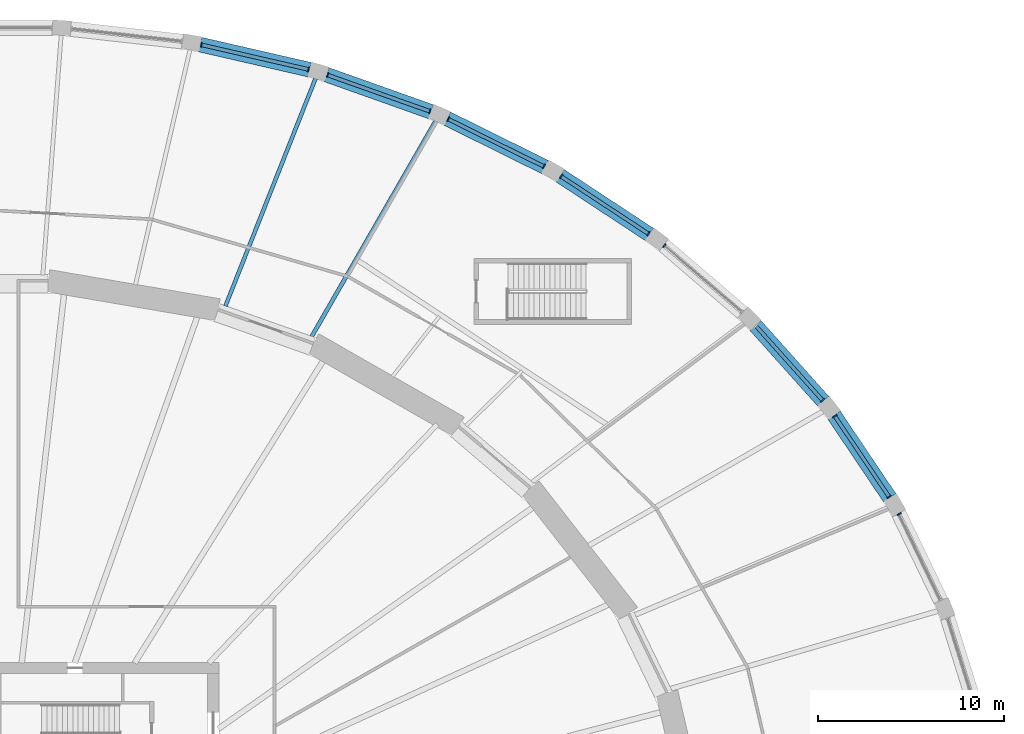
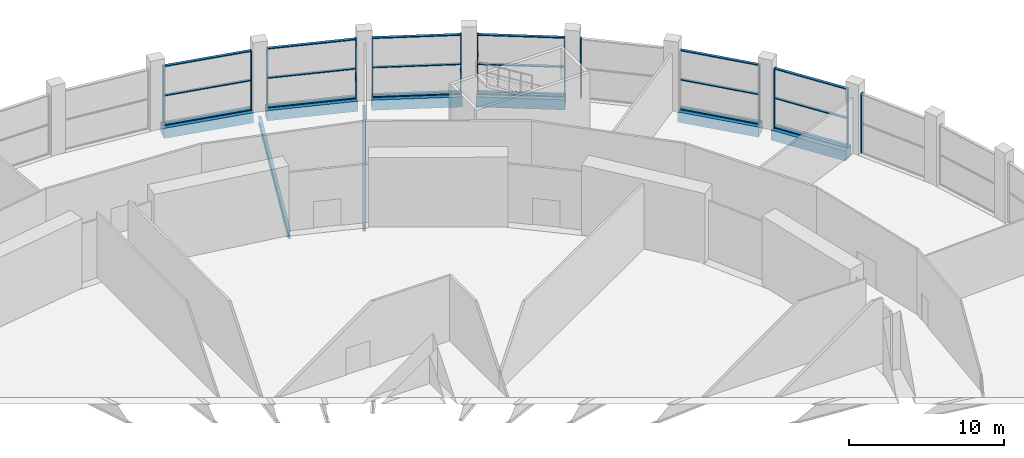
# One storey, part 16 of 29: 31 members, 8 beams, 8 elements without a shape of their own.
"""IFC4 building model written with IfcOpenShell, lengths in metres."""

from ifc_helpers import new_model, si_unit, direction, frame, origin, origin_2d, place, context, subcontext, project, spatial, rectangle, i_section, extrude, material, material_profile, profile_set, type_object, element, aggregate, save


model = new_model("IFC4")

# Units and contexts
model_context = context("Model", 3, precision=1e-05, world=origin(), true_north=direction((0.0, 1.0)))
body_context = subcontext(model_context, "Body", "Model", "MODEL_VIEW")
ifc_project = project(units=[si_unit("LENGTHUNIT", "METRE"), si_unit("AREAUNIT", "SQUARE_METRE"), si_unit("VOLUMEUNIT", "CUBIC_METRE"), si_unit("PLANEANGLEUNIT", "RADIAN"), si_unit("MASSUNIT", "GRAM", prefix="KILO")], contexts=[model_context])

# Site, building, storey
site_placement = place(None, origin())
site = spatial("IfcSite", under=ifc_project, at=site_placement, CompositionType="ELEMENT")
building_placement = place(site_placement, origin())
building = spatial("IfcBuilding", under=site, at=building_placement, Name="Halqa Exchange Tower", CompositionType="ELEMENT")
storey_placement = place(building_placement, frame((0.0, 0.0, 12.5)))
storey = spatial("IfcBuildingStorey", under=building, at=storey_placement, Name="L02", CompositionType="ELEMENT", Elevation=12.5)

# Curtain wall, member
ifc_material_1 = material(Name="Anodised aluminium and clear glass", Category="aluminium")
curtain_wall_type = type_object("IfcCurtainWallType", Name="Exchange hall glazing", PredefinedType="NOTDEFINED", material=ifc_material_1)
curtain_wall_1_placement = place(storey_placement, origin())
curtain_wall_1 = element("IfcCurtainWall", 1, at=curtain_wall_1_placement, inside=storey, type_object=curtain_wall_type, Name="Exchange hall glazing run P3", PredefinedType="NOTDEFINED")
ifc_material_2 = material(Name="Anodised aluminium", Category="aluminium")
ifc_material_profile_1 = material_profile(ifc_material_2, rectangle(XDim=0.25, YDim=0.070068359375, at=origin_2d()), Name="AL 70x250")
ifc_profile_set_1 = profile_set([ifc_material_profile_1], Name="Anodised aluminium")
member_type_1 = type_object("IfcMemberType", Name="Exchange hall glazing mullion 70 x 250", PredefinedType="MULLION", material=ifc_profile_set_1)
member_1_placement = place(storey_placement, frame((48.663818359375, 19.996337890625, 0.0), z_axis=(0.0, 0.0, 1.0), x_axis=(-0.90043534892, -0.434989864727, 0.0)))
member_1 = element("IfcMember", 2, at=member_1_placement, type_object=member_type_1, Name="P3 mullion 2", PredefinedType="MULLION", context=body_context, shape_type="SweptSolid", body=[
    extrude(rectangle(XDim=0.25, YDim=0.070068359375, at=origin_2d()), origin(), (0.0, 0.0, 1.0), 4.699951171875),
])
aggregate(curtain_wall_1, [member_1])

# Curtain wall, members
curtain_wall_2_placement = place(storey_placement, origin())
curtain_wall_2 = element("IfcCurtainWall", 3, at=curtain_wall_2_placement, inside=storey, type_object=curtain_wall_type, Name="Exchange hall glazing run P4", PredefinedType="NOTDEFINED")
member_2_placement = place(storey_placement, frame((48.13232421875, 20.921630859375, 0.0), z_axis=(0.0, 0.0, 1.0), x_axis=(-0.8294895023, -0.55852230535, 0.0)))
member_2 = element("IfcMember", 4, at=member_2_placement, type_object=member_type_1, Name="P4 mullion 1", PredefinedType="MULLION", context=body_context, shape_type="SweptSolid", body=[
    extrude(rectangle(XDim=0.25, YDim=0.070068359375, at=origin_2d()), origin(), (0.0, 0.0, 1.0), 4.699951171875),
])
member_3_placement = place(storey_placement, frame((45.1982421875, 25.279052734375, 0.0), z_axis=(0.0, 0.0, 1.0), x_axis=(-0.8294895023, -0.55852230535, 0.0)))
member_3 = element("IfcMember", 5, at=member_3_placement, type_object=member_type_1, Name="P4 mullion 2", PredefinedType="MULLION", context=body_context, shape_type="SweptSolid", body=[
    extrude(rectangle(XDim=0.25, YDim=0.070068359375, at=origin_2d()), origin(), (0.0, 0.0, 1.0), 4.699951171875),
])

# Curtain wall, member
curtain_wall_3_placement = place(storey_placement, origin())
curtain_wall_3 = element("IfcCurtainWall", 6, at=curtain_wall_3_placement, inside=storey, type_object=curtain_wall_type, Name="Exchange hall glazing run P5", PredefinedType="NOTDEFINED")
member_4_placement = place(storey_placement, frame((44.542724609375, 26.12158203125, 0.0), z_axis=(0.0, 0.0, 1.0), x_axis=(-0.74514769466, -0.666899477539, 0.0)))
member_4 = element("IfcMember", 7, at=member_4_placement, type_object=member_type_1, Name="P5 mullion 1", PredefinedType="MULLION", context=body_context, shape_type="SweptSolid", body=[
    extrude(rectangle(XDim=0.25, YDim=0.070068359375, at=origin_2d()), origin(), (0.0, 0.0, 1.0), 4.699951171875),
])

curtain_wall_4_placement = place(storey_placement, origin())
curtain_wall_4 = element("IfcCurtainWall", 8, at=curtain_wall_4_placement, inside=storey, type_object=curtain_wall_type, Name="Exchange hall glazing run P6", PredefinedType="NOTDEFINED")
member_5_placement = place(storey_placement, frame((36.010986328125, 34.4619140625, 0.0), z_axis=(0.0, 0.0, 1.0), x_axis=(-0.650910929175, -0.759154109704, 0.0)))
member_5 = element("IfcMember", 9, at=member_5_placement, type_object=member_type_1, Name="P6 mullion 2", PredefinedType="MULLION", context=body_context, shape_type="SweptSolid", body=[
    extrude(rectangle(XDim=0.25, YDim=0.070068359375, at=origin_2d()), origin(), (0.0, 0.0, 1.0), 4.699951171875),
])
aggregate(curtain_wall_4, [member_5])

# Curtain wall, members
curtain_wall_5_placement = place(storey_placement, origin())
curtain_wall_5 = element("IfcCurtainWall", 10, at=curtain_wall_5_placement, inside=storey, type_object=curtain_wall_type, Name="Exchange hall glazing run P7", PredefinedType="NOTDEFINED")
member_6_placement = place(storey_placement, frame((35.15771484375, 35.104248046875, 0.0), z_axis=(0.0, 0.0, 1.0), x_axis=(-0.549620040919, -0.835414753652, 0.0)))
member_6 = element("IfcMember", 11, at=member_6_placement, type_object=member_type_1, Name="P7 mullion 1", PredefinedType="MULLION", context=body_context, shape_type="SweptSolid", body=[
    extrude(rectangle(XDim=0.25, YDim=0.070068359375, at=origin_2d()), origin(), (0.0, 0.0, 1.0), 4.699951171875),
])
member_7_placement = place(storey_placement, frame((30.44775390625, 38.202880859375, 0.0), z_axis=(0.0, 0.0, 1.0), x_axis=(-0.549620040919, -0.835414753652, 0.0)))
member_7 = element("IfcMember", 12, at=member_7_placement, type_object=member_type_1, Name="P7 mullion 2", PredefinedType="MULLION", context=body_context, shape_type="SweptSolid", body=[
    extrude(rectangle(XDim=0.25, YDim=0.070068359375, at=origin_2d()), origin(), (0.0, 0.0, 1.0), 4.699951171875),
])

curtain_wall_6_placement = place(storey_placement, origin())
curtain_wall_6 = element("IfcCurtainWall", 13, at=curtain_wall_6_placement, inside=storey, type_object=curtain_wall_type, Name="Exchange hall glazing run P8", PredefinedType="NOTDEFINED")
member_8_placement = place(storey_placement, frame((29.521240234375, 38.734375, 0.0), z_axis=(0.0, 0.0, 1.0), x_axis=(-0.443653417058, -0.896198440934, 0.0)))
member_8 = element("IfcMember", 14, at=member_8_placement, type_object=member_type_1, Name="P8 mullion 1", PredefinedType="MULLION", context=body_context, shape_type="SweptSolid", body=[
    extrude(rectangle(XDim=0.25, YDim=0.070068359375, at=origin_2d()), origin(), (0.0, 0.0, 1.0), 4.699951171875),
])
member_9_placement = place(storey_placement, frame((24.363037109375, 41.287841796875, 0.0), z_axis=(0.0, 0.0, 1.0), x_axis=(-0.443653417058, -0.896198440934, 0.0)))
member_9 = element("IfcMember", 15, at=member_9_placement, type_object=member_type_1, Name="P8 mullion 2", PredefinedType="MULLION", context=body_context, shape_type="SweptSolid", body=[
    extrude(rectangle(XDim=0.25, YDim=0.070068359375, at=origin_2d()), origin(), (0.0, 0.0, 1.0), 4.699951171875),
])

curtain_wall_7_placement = place(storey_placement, origin())
curtain_wall_7 = element("IfcCurtainWall", 16, at=curtain_wall_7_placement, inside=storey, type_object=curtain_wall_type, Name="Exchange hall glazing run P9", PredefinedType="NOTDEFINED")
member_10_placement = place(storey_placement, frame((23.37939453125, 41.7041015625, 0.0), z_axis=(0.0, 0.0, 1.0), x_axis=(-0.334688348326, -0.942328875444, 0.0)))
member_10 = element("IfcMember", 17, at=member_10_placement, type_object=member_type_1, Name="P9 mullion 1", PredefinedType="MULLION", context=body_context, shape_type="SweptSolid", body=[
    extrude(rectangle(XDim=0.25, YDim=0.070068359375, at=origin_2d()), origin(), (0.0, 0.0, 1.0), 4.699951171875),
])
member_11_placement = place(storey_placement, frame((17.86181640625, 43.663818359375, 0.0), z_axis=(0.0, 0.0, 1.0), x_axis=(-0.334688348326, -0.942328875444, 0.0)))
member_11 = element("IfcMember", 18, at=member_11_placement, type_object=member_type_1, Name="P9 mullion 2", PredefinedType="MULLION", context=body_context, shape_type="SweptSolid", body=[
    extrude(rectangle(XDim=0.25, YDim=0.070068359375, at=origin_2d()), origin(), (0.0, 0.0, 1.0), 4.699951171875),
])

curtain_wall_8_placement = place(storey_placement, origin())
curtain_wall_8 = element("IfcCurtainWall", 19, at=curtain_wall_8_placement, inside=storey, type_object=curtain_wall_type, Name="Exchange hall glazing run P10", PredefinedType="NOTDEFINED")
member_12_placement = place(storey_placement, frame((16.836181640625, 43.962646484375, 0.0), z_axis=(0.0, 0.0, 1.0), x_axis=(-0.223896655269, -0.974612891234, 0.0)))
member_12 = element("IfcMember", 20, at=member_12_placement, type_object=member_type_1, Name="P10 mullion 1", PredefinedType="MULLION", context=body_context, shape_type="SweptSolid", body=[
    extrude(rectangle(XDim=0.25, YDim=0.070068359375, at=origin_2d()), origin(), (0.0, 0.0, 1.0), 4.699951171875),
])
member_13_placement = place(storey_placement, frame((11.056396484375, 45.29052734375, 0.0), z_axis=(0.0, 0.0, 1.0), x_axis=(-0.223896655269, -0.974612891234, 0.0)))
member_13 = element("IfcMember", 21, at=member_13_placement, type_object=member_type_1, Name="P10 mullion 2", PredefinedType="MULLION", context=body_context, shape_type="SweptSolid", body=[
    extrude(rectangle(XDim=0.25, YDim=0.070068359375, at=origin_2d()), origin(), (0.0, 0.0, 1.0), 4.699951171875),
])

# Member
ifc_material_profile_2 = material_profile(ifc_material_2, rectangle(XDim=0.199951171875, YDim=0.070068359375, at=origin_2d()), Name="AL 70x200")
ifc_profile_set_2 = profile_set([ifc_material_profile_2], Name="Anodised aluminium")
member_type_2 = type_object("IfcMemberType", Name="Exchange hall glazing transom 70 x 200", PredefinedType="USERDEFINED", material=ifc_profile_set_2)
member_14_placement = place(storey_placement, frame((48.11279296875, 20.95068359375, 0.034912109375), z_axis=(-0.558520359636, 0.82949081241, 0.0), x_axis=(-0.82949081241, -0.558520359636, 0.0)))
member_14 = element("IfcMember", 22, at=member_14_placement, type_object=member_type_2, Name="P4 transom 1.1", ObjectType="TRANSOM", PredefinedType="USERDEFINED", context=body_context, shape_type="SweptSolid", body=[
    extrude(rectangle(XDim=0.199951171875, YDim=0.070068359375, at=origin_2d()), origin(), (0.0, 0.0, 1.0), 5.183349609375),
])

member_15_placement = place(storey_placement, frame((48.11279296875, 20.95068359375, 2.35009765625), z_axis=(-0.558520359636, 0.82949081241, 0.0), x_axis=(-0.82949081241, -0.558520359636, 0.0)))
member_15 = element("IfcMember", 23, at=member_15_placement, type_object=member_type_2, Name="P4 transom 1.2", ObjectType="TRANSOM", PredefinedType="USERDEFINED", context=body_context, shape_type="SweptSolid", body=[
    extrude(rectangle(XDim=0.199951171875, YDim=0.070068359375, at=origin_2d()), origin(), (0.0, 0.0, 1.0), 5.183349609375),
])

member_16_placement = place(storey_placement, frame((48.11279296875, 20.95068359375, 4.6650390625), z_axis=(-0.558520359636, 0.82949081241, 0.0), x_axis=(-0.82949081241, -0.558520359636, 0.0)))
member_16 = element("IfcMember", 24, at=member_16_placement, type_object=member_type_2, Name="P4 transom 1.3", ObjectType="TRANSOM", PredefinedType="USERDEFINED", context=body_context, shape_type="SweptSolid", body=[
    extrude(rectangle(XDim=0.199951171875, YDim=0.070068359375, at=origin_2d()), origin(), (0.0, 0.0, 1.0), 5.183349609375),
])

aggregate(curtain_wall_2, [member_2, member_3, member_14, member_15, member_16])

member_17_placement = place(storey_placement, frame((44.519287109375, 26.147705078125, 0.034912109375), z_axis=(-0.666880900978, 0.745164320074, 0.0), x_axis=(-0.745164320074, -0.666880900978, 0.0)))
member_17 = element("IfcMember", 25, at=member_17_placement, type_object=member_type_2, Name="P5 transom 1.1", ObjectType="TRANSOM", PredefinedType="USERDEFINED", context=body_context, shape_type="SweptSolid", body=[
    extrude(rectangle(XDim=0.199951171875, YDim=0.070068359375, at=origin_2d()), origin(), (0.0, 0.0, 1.0), 5.30810546875),
])

member_18_placement = place(storey_placement, frame((44.519287109375, 26.147705078125, 2.35009765625), z_axis=(-0.666880900978, 0.745164320074, 0.0), x_axis=(-0.745164320074, -0.666880900978, 0.0)))
member_18 = element("IfcMember", 26, at=member_18_placement, type_object=member_type_2, Name="P5 transom 1.2", ObjectType="TRANSOM", PredefinedType="USERDEFINED", context=body_context, shape_type="SweptSolid", body=[
    extrude(rectangle(XDim=0.199951171875, YDim=0.070068359375, at=origin_2d()), origin(), (0.0, 0.0, 1.0), 5.30810546875),
])

member_19_placement = place(storey_placement, frame((44.519287109375, 26.147705078125, 4.6650390625), z_axis=(-0.666880900978, 0.745164320074, 0.0), x_axis=(-0.745164320074, -0.666880900978, 0.0)))
member_19 = element("IfcMember", 27, at=member_19_placement, type_object=member_type_2, Name="P5 transom 1.3", ObjectType="TRANSOM", PredefinedType="USERDEFINED", context=body_context, shape_type="SweptSolid", body=[
    extrude(rectangle(XDim=0.199951171875, YDim=0.070068359375, at=origin_2d()), origin(), (0.0, 0.0, 1.0), 5.30810546875),
])

aggregate(curtain_wall_3, [member_4, member_17, member_18, member_19])

member_20_placement = place(storey_placement, frame((35.12841796875, 35.12353515625, 0.034912109375), z_axis=(-0.835401187087, 0.549640661355, 0.0), x_axis=(-0.549640661355, -0.835401187087, 0.0)))
member_20 = element("IfcMember", 28, at=member_20_placement, type_object=member_type_2, Name="P7 transom 1.1", ObjectType="TRANSOM", PredefinedType="USERDEFINED", context=body_context, shape_type="SweptSolid", body=[
    extrude(rectangle(XDim=0.199951171875, YDim=0.070068359375, at=origin_2d()), origin(), (0.0, 0.0, 1.0), 5.56787109375),
])

member_21_placement = place(storey_placement, frame((35.12841796875, 35.12353515625, 2.35009765625), z_axis=(-0.835401187087, 0.549640661355, 0.0), x_axis=(-0.549640661355, -0.835401187087, 0.0)))
member_21 = element("IfcMember", 29, at=member_21_placement, type_object=member_type_2, Name="P7 transom 1.2", ObjectType="TRANSOM", PredefinedType="USERDEFINED", context=body_context, shape_type="SweptSolid", body=[
    extrude(rectangle(XDim=0.199951171875, YDim=0.070068359375, at=origin_2d()), origin(), (0.0, 0.0, 1.0), 5.56787109375),
])

member_22_placement = place(storey_placement, frame((35.12841796875, 35.12353515625, 4.6650390625), z_axis=(-0.835401187087, 0.549640661355, 0.0), x_axis=(-0.549640661355, -0.835401187087, 0.0)))
member_22 = element("IfcMember", 30, at=member_22_placement, type_object=member_type_2, Name="P7 transom 1.3", ObjectType="TRANSOM", PredefinedType="USERDEFINED", context=body_context, shape_type="SweptSolid", body=[
    extrude(rectangle(XDim=0.199951171875, YDim=0.070068359375, at=origin_2d()), origin(), (0.0, 0.0, 1.0), 5.56787109375),
])

aggregate(curtain_wall_5, [member_6, member_7, member_20, member_21, member_22])

member_23_placement = place(storey_placement, frame((29.489990234375, 38.749755859375, 0.034912109375), z_axis=(-0.89618076134, 0.443689128788, 0.0), x_axis=(-0.443689128788, -0.89618076134, 0.0)))
member_23 = element("IfcMember", 31, at=member_23_placement, type_object=member_type_2, Name="P8 transom 1.1", ObjectType="TRANSOM", PredefinedType="USERDEFINED", context=body_context, shape_type="SweptSolid", body=[
    extrude(rectangle(XDim=0.199951171875, YDim=0.070068359375, at=origin_2d()), origin(), (0.0, 0.0, 1.0), 5.685791015625),
])

member_24_placement = place(storey_placement, frame((29.489990234375, 38.749755859375, 2.35009765625), z_axis=(-0.89618076134, 0.443689128788, 0.0), x_axis=(-0.443689128788, -0.89618076134, 0.0)))
member_24 = element("IfcMember", 32, at=member_24_placement, type_object=member_type_2, Name="P8 transom 1.2", ObjectType="TRANSOM", PredefinedType="USERDEFINED", context=body_context, shape_type="SweptSolid", body=[
    extrude(rectangle(XDim=0.199951171875, YDim=0.070068359375, at=origin_2d()), origin(), (0.0, 0.0, 1.0), 5.685791015625),
])

member_25_placement = place(storey_placement, frame((29.489990234375, 38.749755859375, 4.6650390625), z_axis=(-0.89618076134, 0.443689128788, 0.0), x_axis=(-0.443689128788, -0.89618076134, 0.0)))
member_25 = element("IfcMember", 33, at=member_25_placement, type_object=member_type_2, Name="P8 transom 1.3", ObjectType="TRANSOM", PredefinedType="USERDEFINED", context=body_context, shape_type="SweptSolid", body=[
    extrude(rectangle(XDim=0.199951171875, YDim=0.070068359375, at=origin_2d()), origin(), (0.0, 0.0, 1.0), 5.685791015625),
])

aggregate(curtain_wall_6, [member_8, member_9, member_23, member_24, member_25])

member_26_placement = place(storey_placement, frame((23.346435546875, 41.7158203125, 0.034912109375), z_axis=(-0.942328600126, 0.334689123493, 0.0), x_axis=(-0.334689123493, -0.942328600126, 0.0)))
member_26 = element("IfcMember", 34, at=member_26_placement, type_object=member_type_2, Name="P9 transom 1.1", ObjectType="TRANSOM", PredefinedType="USERDEFINED", context=body_context, shape_type="SweptSolid", body=[
    extrude(rectangle(XDim=0.199951171875, YDim=0.070068359375, at=origin_2d()), origin(), (0.0, 0.0, 1.0), 5.785400390625),
])

member_27_placement = place(storey_placement, frame((23.346435546875, 41.7158203125, 2.35009765625), z_axis=(-0.942328600126, 0.334689123493, 0.0), x_axis=(-0.334689123493, -0.942328600126, 0.0)))
member_27 = element("IfcMember", 35, at=member_27_placement, type_object=member_type_2, Name="P9 transom 1.2", ObjectType="TRANSOM", PredefinedType="USERDEFINED", context=body_context, shape_type="SweptSolid", body=[
    extrude(rectangle(XDim=0.199951171875, YDim=0.070068359375, at=origin_2d()), origin(), (0.0, 0.0, 1.0), 5.785400390625),
])

member_28_placement = place(storey_placement, frame((23.346435546875, 41.7158203125, 4.6650390625), z_axis=(-0.942328600126, 0.334689123493, 0.0), x_axis=(-0.334689123493, -0.942328600126, 0.0)))
member_28 = element("IfcMember", 36, at=member_28_placement, type_object=member_type_2, Name="P9 transom 1.3", ObjectType="TRANSOM", PredefinedType="USERDEFINED", context=body_context, shape_type="SweptSolid", body=[
    extrude(rectangle(XDim=0.199951171875, YDim=0.070068359375, at=origin_2d()), origin(), (0.0, 0.0, 1.0), 5.785400390625),
])

aggregate(curtain_wall_7, [member_10, member_11, member_26, member_27, member_28])

member_29_placement = place(storey_placement, frame((16.80224609375, 43.970458984375, 0.034912109375), z_axis=(-0.974610483498, 0.223907135784, 0.0), x_axis=(-0.223907135784, -0.974610483498, 0.0)))
member_29 = element("IfcMember", 37, at=member_29_placement, type_object=member_type_2, Name="P10 transom 1.1", ObjectType="TRANSOM", PredefinedType="USERDEFINED", context=body_context, shape_type="SweptSolid", body=[
    extrude(rectangle(XDim=0.199951171875, YDim=0.070068359375, at=origin_2d()), origin(), (0.0, 0.0, 1.0), 5.860595703125),
])

member_30_placement = place(storey_placement, frame((16.80224609375, 43.970458984375, 2.35009765625), z_axis=(-0.974610483498, 0.223907135784, 0.0), x_axis=(-0.223907135784, -0.974610483498, 0.0)))
member_30 = element("IfcMember", 38, at=member_30_placement, type_object=member_type_2, Name="P10 transom 1.2", ObjectType="TRANSOM", PredefinedType="USERDEFINED", context=body_context, shape_type="SweptSolid", body=[
    extrude(rectangle(XDim=0.199951171875, YDim=0.070068359375, at=origin_2d()), origin(), (0.0, 0.0, 1.0), 5.860595703125),
])

member_31_placement = place(storey_placement, frame((16.80224609375, 43.970458984375, 4.6650390625), z_axis=(-0.974610483498, 0.223907135784, 0.0), x_axis=(-0.223907135784, -0.974610483498, 0.0)))
member_31 = element("IfcMember", 39, at=member_31_placement, type_object=member_type_2, Name="P10 transom 1.3", ObjectType="TRANSOM", PredefinedType="USERDEFINED", context=body_context, shape_type="SweptSolid", body=[
    extrude(rectangle(XDim=0.199951171875, YDim=0.070068359375, at=origin_2d()), origin(), (0.0, 0.0, 1.0), 5.860595703125),
])

aggregate(curtain_wall_8, [member_12, member_13, member_29, member_30, member_31])

# Beams
ifc_material_3 = material(Name="Steel S355", Category="steel")
ifc_material_profile_3 = material_profile(ifc_material_3, i_section(OverallWidth=0.2099609375, OverallDepth=0.550048828125, WebThickness=0.010986328125, FlangeThickness=0.01708984375, FilletRadius=0.02392578125, at=origin_2d()), Name="IPE 550")
ifc_profile_set_3 = profile_set([ifc_material_profile_3], Name="Steel S355")
beam_type_1 = type_object("IfcBeamType", Name="Floor beam IPE 550", PredefinedType="BEAM", material=ifc_profile_set_3)
beam_1_placement = place(storey_placement, frame((12.352294921875, 31.2001953125, -0.625), z_axis=(0.368106640822, 0.929783577497, 0.0), x_axis=(-0.929783577497, 0.368106640822, 0.0)))
element("IfcBeam", 40, at=beam_1_placement, inside=storey, type_object=beam_type_1, Name="Radial beam 10", PredefinedType="BEAM", context=body_context, shape_type="SweptSolid", body=[
    extrude(i_section(OverallWidth=0.2099609375, OverallDepth=0.550048828125, WebThickness=0.010986328125, FlangeThickness=0.01708984375, FilletRadius=0.02392578125, at=origin_2d()), origin(), (0.0, 0.0, 1.0), 13.22412109375),
])
ifc_material_profile_4 = material_profile(ifc_material_3, i_section(OverallWidth=0.219970703125, OverallDepth=0.60009765625, WebThickness=0.011962890625, FlangeThickness=0.01904296875, FilletRadius=0.02392578125, at=origin_2d()), Name="IPE 600")
ifc_profile_set_4 = profile_set([ifc_material_profile_4], Name="Steel S355")
beam_type_2 = type_object("IfcBeamType", Name="Floor beam IPE 600", PredefinedType="BEAM", material=ifc_profile_set_4)
beam_2_placement = place(storey_placement, frame((16.996826171875, 29.551513671875, -0.64990234375), z_axis=(0.498570786865, 0.866848989435, 0.0), x_axis=(-0.866848989435, 0.498570786865, 0.0)))
element("IfcBeam", 41, at=beam_2_placement, inside=storey, type_object=beam_type_2, Name="Radial beam 9", PredefinedType="BEAM", context=body_context, shape_type="SweptSolid", body=[
    extrude(i_section(OverallWidth=0.219970703125, OverallDepth=0.60009765625, WebThickness=0.011962890625, FlangeThickness=0.01904296875, FilletRadius=0.02392578125, at=origin_2d()), origin(), (0.0, 0.0, 1.0), 13.438720703125),
])
ifc_material_4 = material(Name="Concrete C60/75", Category="concrete")
ifc_material_profile_5 = material_profile(ifc_material_4, rectangle(XDim=0.800048828125, YDim=0.800048828125, at=origin_2d()), Name="800 x 800")
ifc_profile_set_5 = profile_set([ifc_material_profile_5], Name="Concrete C60/75")
beam_type_3 = type_object("IfcBeamType", Name="RC podium edge beam 800 x 800 C60/75", PredefinedType="SPANDREL", material=ifc_profile_set_5)
beam_3_placement = place(storey_placement, frame((48.1669921875, 20.8701171875, -0.39990234375), z_axis=(-0.558528358221, 0.829485426673, 0.0), x_axis=(-0.829485426673, -0.558528358221, 0.0)))
element("IfcBeam", 42, at=beam_3_placement, inside=storey, type_object=beam_type_3, Name="Podium edge beam 4", PredefinedType="SPANDREL", context=body_context, shape_type="SweptSolid", body=[
    extrude(rectangle(XDim=0.800048828125, YDim=0.800048828125, at=origin_2d()), origin(), (0.0, 0.0, 1.0), 5.378173828125),
])
beam_4_placement = place(storey_placement, frame((44.58349609375, 26.075927734375, -0.39990234375), z_axis=(-0.666902525907, 0.745144966392, 0.0), x_axis=(-0.745144966392, -0.666902525907, 0.0)))
element("IfcBeam", 43, at=beam_4_placement, inside=storey, type_object=beam_type_3, Name="Podium edge beam 5", PredefinedType="SPANDREL", context=body_context, shape_type="SweptSolid", body=[
    extrude(rectangle(XDim=0.800048828125, YDim=0.800048828125, at=origin_2d()), origin(), (0.0, 0.0, 1.0), 5.501220703125),
])
beam_5_placement = place(storey_placement, frame((35.208984375, 35.070556640625, -0.39990234375), z_axis=(-0.835418618456, 0.549614166426, 0.0), x_axis=(-0.549614166426, -0.835418618456, 0.0)))
element("IfcBeam", 44, at=beam_5_placement, inside=storey, type_object=beam_type_3, Name="Podium edge beam 7", PredefinedType="SPANDREL", context=body_context, shape_type="SweptSolid", body=[
    extrude(rectangle(XDim=0.800048828125, YDim=0.800048828125, at=origin_2d()), origin(), (0.0, 0.0, 1.0), 5.760986328125),
])
beam_6_placement = place(storey_placement, frame((29.576904296875, 38.706787109375, -0.39990234375), z_axis=(-0.896205416004, 0.443639326847, 0.0), x_axis=(-0.443639326847, -0.896205416004, 0.0)))
element("IfcBeam", 45, at=beam_6_placement, inside=storey, type_object=beam_type_3, Name="Podium edge beam 8", PredefinedType="SPANDREL", context=body_context, shape_type="SweptSolid", body=[
    extrude(rectangle(XDim=0.800048828125, YDim=0.800048828125, at=origin_2d()), origin(), (0.0, 0.0, 1.0), 5.880126953125),
])
beam_7_placement = place(storey_placement, frame((23.4384765625, 41.683349609375, -0.39990234375), z_axis=(-0.942343471221, 0.334647250469, 0.0), x_axis=(-0.334647250469, -0.942343471221, 0.0)))
element("IfcBeam", 46, at=beam_7_placement, inside=storey, type_object=beam_type_3, Name="Podium edge beam 9", PredefinedType="SPANDREL", context=body_context, shape_type="SweptSolid", body=[
    extrude(rectangle(XDim=0.800048828125, YDim=0.800048828125, at=origin_2d()), origin(), (0.0, 0.0, 1.0), 5.980712890625),
])
beam_8_placement = place(storey_placement, frame((16.89794921875, 43.948486328125, -0.39990234375), z_axis=(-0.974604133477, 0.223934774008, 0.0), x_axis=(-0.223934774008, -0.974604133477, 0.0)))
element("IfcBeam", 47, at=beam_8_placement, inside=storey, type_object=beam_type_3, Name="Podium edge beam 10", PredefinedType="SPANDREL", context=body_context, shape_type="SweptSolid", body=[
    extrude(rectangle(XDim=0.800048828125, YDim=0.800048828125, at=origin_2d()), origin(), (0.0, 0.0, 1.0), 6.05517578125),
])

save(model, "model.ifc")
